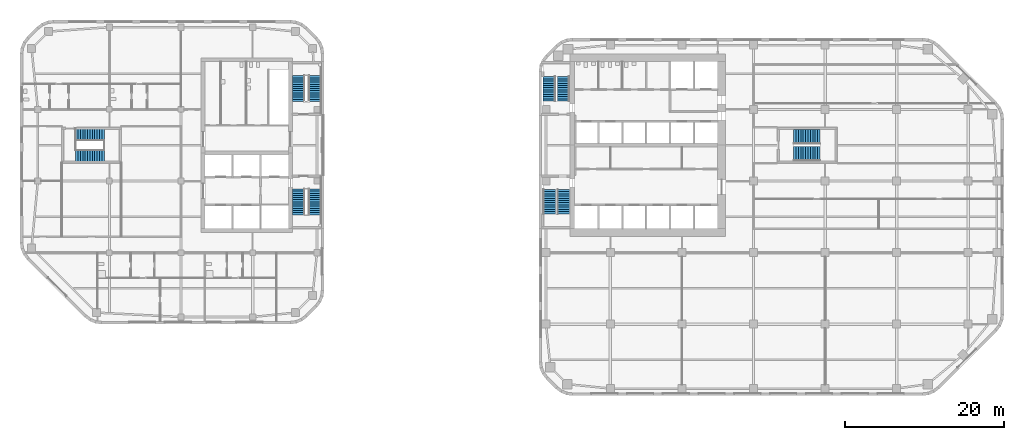
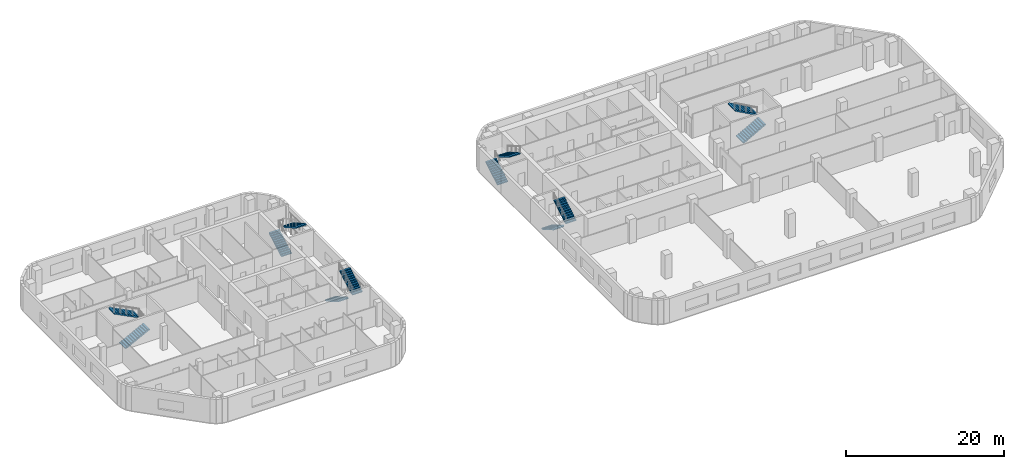
# One storey, part 12 of 15: 12 stair flights, 6 elements without a shape of their own.
"""IFC4 building model written with IfcOpenShell, lengths in metres."""

from ifc_helpers import new_model, si_unit, direction, frame, origin, place, context, subcontext, project, spatial, polyline, outline, extrude, material, type_object, element, aggregate, save


model = new_model("IFC4")

# Units and contexts
model_context = context("Model", 3, precision=1e-05, world=origin(), true_north=direction((0.0, 1.0)))
body_context = subcontext(model_context, "Body", "Model", "MODEL_VIEW")
ifc_project = project(units=[si_unit("LENGTHUNIT", "METRE"), si_unit("AREAUNIT", "SQUARE_METRE"), si_unit("VOLUMEUNIT", "CUBIC_METRE"), si_unit("PLANEANGLEUNIT", "RADIAN"), si_unit("MASSUNIT", "GRAM", prefix="KILO")], contexts=[model_context])

# Site, building, storey
site_placement = place(None, origin())
site = spatial("IfcSite", under=ifc_project, at=site_placement, CompositionType="ELEMENT")
building_placement = place(site_placement, origin())
building = spatial("IfcBuilding", under=site, at=building_placement, Name="Cinnabar Reach Civic Tower", CompositionType="ELEMENT")
storey_placement = place(building_placement, frame((0.0, 0.0, 91.0)))
storey = spatial("IfcBuildingStorey", under=building, at=storey_placement, Name="L21", CompositionType="ELEMENT", Elevation=91.0)

# Stair, stair flights
ifc_material_1 = material(Name="Concrete C40/50", Category="concrete")
stair_type_1 = type_object("IfcStairType", Name="T1 Exit stair, half-turn", PredefinedType="HALF_TURN_STAIR", material=ifc_material_1)
stair_1_placement = place(storey_placement, origin())
stair_1 = element("IfcStair", 1, at=stair_1_placement, inside=storey, type_object=stair_type_1, Name="Stair T1-S1", PredefinedType="HALF_TURN_STAIR")
stair_flight_type_1 = type_object("IfcStairFlightType", Name="T1 Stair flight, concrete", PredefinedType="STRAIGHT", material=ifc_material_1)
stair_flight_1_placement = place(storey_placement, frame((1.3125, 25.95, 0.0), z_axis=(0.0, 0.0, 1.0), x_axis=(0.0, -1.0, 0.0)))
stair_flight_1 = element("IfcStairFlight", 2, at=stair_flight_1_placement, type_object=stair_flight_type_1, Name="T1-S1 flight 1", NumberOfRisers=12, NumberOfTreads=11, PredefinedType="STRAIGHT", RiserHeight=0.166666667, TreadLength=0.28, context=body_context, shape_type="SweptSolid", body=[
    extrude(outline(polyline([(0.0, 0.0), (0.0, 0.1667), (0.28, 0.1667), (0.28, 0.3333), (0.56, 0.3333), (0.56, 0.5), (0.84, 0.5), (0.84, 0.6667), (1.12, 0.6667), (1.12, 0.8333), (1.4, 0.8333), (1.4, 1.0), (1.68, 1.0), (1.68, 1.1667), (1.96, 1.1667), (1.96, 1.3333), (2.24, 1.3333), (2.24, 1.5), (2.52, 1.5), (2.52, 1.6667), (2.8, 1.6667), (2.8, 1.8333), (3.08, 1.8333), (3.08, 2.0), (3.08, 1.6588), (0.2933, 0.0), (0.0, 0.0)])), frame((0.0, 0.7625, 0.0), z_axis=(0.0, -1.0, 0.0), x_axis=(1.0, 0.0, 0.0)), (0.0, 0.0, 1.0), 1.525),
])
stair_flight_2_placement = place(storey_placement, frame((3.0875, 22.87, 2.0), z_axis=(0.0, 0.0, 1.0), x_axis=(0.0, 1.0, 0.0)))
stair_flight_2 = element("IfcStairFlight", 3, at=stair_flight_2_placement, type_object=stair_flight_type_1, Name="T1-S1 flight 2", NumberOfRisers=12, NumberOfTreads=11, PredefinedType="STRAIGHT", RiserHeight=0.166666667, TreadLength=0.28, context=body_context, shape_type="SweptSolid", body=[
    extrude(outline(polyline([(0.0, 0.0), (0.0, 0.1667), (0.28, 0.1667), (0.28, 0.3333), (0.56, 0.3333), (0.56, 0.5), (0.84, 0.5), (0.84, 0.6667), (1.12, 0.6667), (1.12, 0.8333), (1.4, 0.8333), (1.4, 1.0), (1.68, 1.0), (1.68, 1.1667), (1.96, 1.1667), (1.96, 1.3333), (2.24, 1.3333), (2.24, 1.5), (2.52, 1.5), (2.52, 1.6667), (2.8, 1.6667), (2.8, 1.8333), (3.08, 1.8333), (3.08, 2.0), (3.08, 1.6588), (0.2933, 0.0), (0.0, 0.0)])), frame((0.0, 0.7625, 0.0), z_axis=(0.0, -1.0, 0.0), x_axis=(1.0, 0.0, 0.0)), (0.0, 0.0, 1.0), 1.525),
])
aggregate(stair_1, [stair_flight_1, stair_flight_2])

stair_2_placement = place(storey_placement, origin())
stair_2 = element("IfcStair", 4, at=stair_2_placement, inside=storey, type_object=stair_type_1, Name="Stair T1-S2", PredefinedType="HALF_TURN_STAIR")
stair_flight_3_placement = place(storey_placement, frame((1.3125, 37.05, 0.0), z_axis=(0.0, 0.0, 1.0), x_axis=(0.0, 1.0, 0.0)))
stair_flight_3 = element("IfcStairFlight", 5, at=stair_flight_3_placement, type_object=stair_flight_type_1, Name="T1-S2 flight 1", NumberOfRisers=12, NumberOfTreads=11, PredefinedType="STRAIGHT", RiserHeight=0.166666667, TreadLength=0.28, context=body_context, shape_type="SweptSolid", body=[
    extrude(outline(polyline([(0.0, 0.0), (0.0, 0.1667), (0.28, 0.1667), (0.28, 0.3333), (0.56, 0.3333), (0.56, 0.5), (0.84, 0.5), (0.84, 0.6667), (1.12, 0.6667), (1.12, 0.8333), (1.4, 0.8333), (1.4, 1.0), (1.68, 1.0), (1.68, 1.1667), (1.96, 1.1667), (1.96, 1.3333), (2.24, 1.3333), (2.24, 1.5), (2.52, 1.5), (2.52, 1.6667), (2.8, 1.6667), (2.8, 1.8333), (3.08, 1.8333), (3.08, 2.0), (3.08, 1.6588), (0.2933, 0.0), (0.0, 0.0)])), frame((0.0, 0.7625, 0.0), z_axis=(0.0, -1.0, 0.0), x_axis=(1.0, 0.0, 0.0)), (0.0, 0.0, 1.0), 1.525),
])
stair_flight_4_placement = place(storey_placement, frame((3.0875, 40.13, 2.0), z_axis=(0.0, 0.0, 1.0), x_axis=(0.0, -1.0, 0.0)))
stair_flight_4 = element("IfcStairFlight", 6, at=stair_flight_4_placement, type_object=stair_flight_type_1, Name="T1-S2 flight 2", NumberOfRisers=12, NumberOfTreads=11, PredefinedType="STRAIGHT", RiserHeight=0.166666667, TreadLength=0.28, context=body_context, shape_type="SweptSolid", body=[
    extrude(outline(polyline([(0.0, 0.0), (0.0, 0.1667), (0.28, 0.1667), (0.28, 0.3333), (0.56, 0.3333), (0.56, 0.5), (0.84, 0.5), (0.84, 0.6667), (1.12, 0.6667), (1.12, 0.8333), (1.4, 0.8333), (1.4, 1.0), (1.68, 1.0), (1.68, 1.1667), (1.96, 1.1667), (1.96, 1.3333), (2.24, 1.3333), (2.24, 1.5), (2.52, 1.5), (2.52, 1.6667), (2.8, 1.6667), (2.8, 1.8333), (3.08, 1.8333), (3.08, 2.0), (3.08, 1.6588), (0.2933, 0.0), (0.0, 0.0)])), frame((0.0, 0.7625, 0.0), z_axis=(0.0, -1.0, 0.0), x_axis=(1.0, 0.0, 0.0)), (0.0, 0.0, 1.0), 1.525),
])
aggregate(stair_2, [stair_flight_3, stair_flight_4])

stair_3_placement = place(storey_placement, origin())
stair_3 = element("IfcStair", 7, at=stair_3_placement, inside=storey, type_object=stair_type_1, Name="Stair T1-S3", PredefinedType="HALF_TURN_STAIR")
stair_flight_5_placement = place(storey_placement, frame((32.05, 30.45, 0.0), z_axis=(0.0, 0.0, 1.0), x_axis=(1.0, 0.0, 0.0)))
stair_flight_5 = element("IfcStairFlight", 8, at=stair_flight_5_placement, type_object=stair_flight_type_1, Name="T1-S3 flight 1", NumberOfRisers=12, NumberOfTreads=11, PredefinedType="STRAIGHT", RiserHeight=0.166666667, TreadLength=0.3, context=body_context, shape_type="SweptSolid", body=[
    extrude(outline(polyline([(0.0, 0.0), (0.0, 0.1667), (0.3, 0.1667), (0.3, 0.3333), (0.6, 0.3333), (0.6, 0.5), (0.9, 0.5), (0.9, 0.6667), (1.2, 0.6667), (1.2, 0.8333), (1.5, 0.8333), (1.5, 1.0), (1.8, 1.0), (1.8, 1.1667), (2.1, 1.1667), (2.1, 1.3333), (2.4, 1.3333), (2.4, 1.5), (2.7, 1.5), (2.7, 1.6667), (3.0, 1.6667), (3.0, 1.8333), (3.3, 1.8333), (3.3, 2.0), (3.3, 1.6617), (0.3089, 0.0), (0.0, 0.0)])), frame((0.0, 0.9, 0.0), z_axis=(0.0, -1.0, 0.0), x_axis=(1.0, 0.0, 0.0)), (0.0, 0.0, 1.0), 1.8),
])
stair_flight_6_placement = place(storey_placement, frame((35.35, 32.55, 2.0), z_axis=(0.0, 0.0, 1.0), x_axis=(-1.0, 0.0, 0.0)))
stair_flight_6 = element("IfcStairFlight", 9, at=stair_flight_6_placement, type_object=stair_flight_type_1, Name="T1-S3 flight 2", NumberOfRisers=12, NumberOfTreads=11, PredefinedType="STRAIGHT", RiserHeight=0.166666667, TreadLength=0.3, context=body_context, shape_type="SweptSolid", body=[
    extrude(outline(polyline([(0.0, 0.0), (0.0, 0.1667), (0.3, 0.1667), (0.3, 0.3333), (0.6, 0.3333), (0.6, 0.5), (0.9, 0.5), (0.9, 0.6667), (1.2, 0.6667), (1.2, 0.8333), (1.5, 0.8333), (1.5, 1.0), (1.8, 1.0), (1.8, 1.1667), (2.1, 1.1667), (2.1, 1.3333), (2.4, 1.3333), (2.4, 1.5), (2.7, 1.5), (2.7, 1.6667), (3.0, 1.6667), (3.0, 1.8333), (3.3, 1.8333), (3.3, 2.0), (3.3, 1.6617), (0.3089, 0.0), (0.0, 0.0)])), frame((0.0, 0.9, 0.0), z_axis=(0.0, -1.0, 0.0), x_axis=(1.0, 0.0, 0.0)), (0.0, 0.0, 1.0), 1.8),
])
aggregate(stair_3, [stair_flight_5, stair_flight_6])

ifc_material_2 = material(Name="Concrete C40", Category="concrete")
stair_type_2 = type_object("IfcStairType", Name="T2 Exit stair 1500", PredefinedType="HALF_TURN_STAIR", material=ifc_material_2)
stair_4_placement = place(storey_placement, origin())
stair_4 = element("IfcStair", 10, at=stair_4_placement, inside=storey, type_object=stair_type_2, Name="Exit stair 1", PredefinedType="HALF_TURN_STAIR")
stair_flight_type_2 = type_object("IfcStairFlightType", Name="T2 Stair flight 1500", PredefinedType="STRAIGHT", material=ifc_material_2)
stair_flight_7_placement = place(storey_placement, frame((-30.25, 26.0, 0.0), z_axis=(0.0, 0.0, 1.0), x_axis=(0.0, -1.0, 0.0)))
stair_flight_7 = element("IfcStairFlight", 11, at=stair_flight_7_placement, type_object=stair_flight_type_2, Name="ST1 flight 1", NumberOfRisers=13, NumberOfTreads=12, PredefinedType="STRAIGHT", RiserHeight=0.153846154, TreadLength=0.270833333, context=body_context, shape_type="SweptSolid", body=[
    extrude(outline(polyline([(0.0, 0.0), (0.0, 0.1538), (0.2708, 0.1538), (0.2708, 0.3077), (0.5417, 0.3077), (0.5417, 0.4615), (0.8125, 0.4615), (0.8125, 0.6154), (1.0833, 0.6154), (1.0833, 0.7692), (1.3542, 0.7692), (1.3542, 0.9231), (1.625, 0.9231), (1.625, 1.0769), (1.8958, 1.0769), (1.8958, 1.2308), (2.1667, 1.2308), (2.1667, 1.3846), (2.4375, 1.3846), (2.4375, 1.5385), (2.7083, 1.5385), (2.7083, 1.6923), (2.9792, 1.6923), (2.9792, 1.8462), (3.25, 1.8462), (3.25, 2.0), (3.25, 1.6736), (0.3037, 0.0), (0.0, 0.0)])), frame((0.0, 0.75, 0.0), z_axis=(0.0, -1.0, 0.0), x_axis=(1.0, 0.0, 0.0)), (0.0, 0.0, 1.0), 1.5),
])
stair_flight_8_placement = place(storey_placement, frame((-28.15, 22.75, 2.0), z_axis=(0.0, 0.0, 1.0), x_axis=(0.0, 1.0, 0.0)))
stair_flight_8 = element("IfcStairFlight", 12, at=stair_flight_8_placement, type_object=stair_flight_type_2, Name="ST1 flight 2", NumberOfRisers=13, NumberOfTreads=12, PredefinedType="STRAIGHT", RiserHeight=0.153846154, TreadLength=0.270833333, context=body_context, shape_type="SweptSolid", body=[
    extrude(outline(polyline([(0.0, 0.0), (0.0, 0.1538), (0.2708, 0.1538), (0.2708, 0.3077), (0.5417, 0.3077), (0.5417, 0.4615), (0.8125, 0.4615), (0.8125, 0.6154), (1.0833, 0.6154), (1.0833, 0.7692), (1.3542, 0.7692), (1.3542, 0.9231), (1.625, 0.9231), (1.625, 1.0769), (1.8958, 1.0769), (1.8958, 1.2308), (2.1667, 1.2308), (2.1667, 1.3846), (2.4375, 1.3846), (2.4375, 1.5385), (2.7083, 1.5385), (2.7083, 1.6923), (2.9792, 1.6923), (2.9792, 1.8462), (3.25, 1.8462), (3.25, 2.0), (3.25, 1.6736), (0.3037, 0.0), (0.0, 0.0)])), frame((0.0, 0.75, 0.0), z_axis=(0.0, -1.0, 0.0), x_axis=(1.0, 0.0, 0.0)), (0.0, 0.0, 1.0), 1.5),
])
aggregate(stair_4, [stair_flight_7, stair_flight_8])

stair_5_placement = place(storey_placement, origin())
stair_5 = element("IfcStair", 13, at=stair_5_placement, inside=storey, type_object=stair_type_2, Name="Exit stair 2", PredefinedType="HALF_TURN_STAIR")
stair_flight_9_placement = place(storey_placement, frame((-30.25, 37.0, 0.0), z_axis=(0.0, 0.0, 1.0), x_axis=(0.0, 1.0, 0.0)))
stair_flight_9 = element("IfcStairFlight", 14, at=stair_flight_9_placement, type_object=stair_flight_type_2, Name="ST2 flight 1", NumberOfRisers=13, NumberOfTreads=12, PredefinedType="STRAIGHT", RiserHeight=0.153846154, TreadLength=0.270833333, context=body_context, shape_type="SweptSolid", body=[
    extrude(outline(polyline([(0.0, 0.0), (0.0, 0.1538), (0.2708, 0.1538), (0.2708, 0.3077), (0.5417, 0.3077), (0.5417, 0.4615), (0.8125, 0.4615), (0.8125, 0.6154), (1.0833, 0.6154), (1.0833, 0.7692), (1.3542, 0.7692), (1.3542, 0.9231), (1.625, 0.9231), (1.625, 1.0769), (1.8958, 1.0769), (1.8958, 1.2308), (2.1667, 1.2308), (2.1667, 1.3846), (2.4375, 1.3846), (2.4375, 1.5385), (2.7083, 1.5385), (2.7083, 1.6923), (2.9792, 1.6923), (2.9792, 1.8462), (3.25, 1.8462), (3.25, 2.0), (3.25, 1.6736), (0.3037, 0.0), (0.0, 0.0)])), frame((0.0, 0.75, 0.0), z_axis=(0.0, -1.0, 0.0), x_axis=(1.0, 0.0, 0.0)), (0.0, 0.0, 1.0), 1.5),
])
stair_flight_10_placement = place(storey_placement, frame((-28.15, 40.25, 2.0), z_axis=(0.0, 0.0, 1.0), x_axis=(0.0, -1.0, 0.0)))
stair_flight_10 = element("IfcStairFlight", 15, at=stair_flight_10_placement, type_object=stair_flight_type_2, Name="ST2 flight 2", NumberOfRisers=13, NumberOfTreads=12, PredefinedType="STRAIGHT", RiserHeight=0.153846154, TreadLength=0.270833333, context=body_context, shape_type="SweptSolid", body=[
    extrude(outline(polyline([(0.0, 0.0), (0.0, 0.1538), (0.2708, 0.1538), (0.2708, 0.3077), (0.5417, 0.3077), (0.5417, 0.4615), (0.8125, 0.4615), (0.8125, 0.6154), (1.0833, 0.6154), (1.0833, 0.7692), (1.3542, 0.7692), (1.3542, 0.9231), (1.625, 0.9231), (1.625, 1.0769), (1.8958, 1.0769), (1.8958, 1.2308), (2.1667, 1.2308), (2.1667, 1.3846), (2.4375, 1.3846), (2.4375, 1.5385), (2.7083, 1.5385), (2.7083, 1.6923), (2.9792, 1.6923), (2.9792, 1.8462), (3.25, 1.8462), (3.25, 2.0), (3.25, 1.6736), (0.3037, 0.0), (0.0, 0.0)])), frame((0.0, 0.75, 0.0), z_axis=(0.0, -1.0, 0.0), x_axis=(1.0, 0.0, 0.0)), (0.0, 0.0, 1.0), 1.5),
])
aggregate(stair_5, [stair_flight_9, stair_flight_10])

stair_6_placement = place(storey_placement, origin())
stair_6 = element("IfcStair", 16, at=stair_6_placement, inside=storey, type_object=stair_type_2, Name="Exit stair 3", PredefinedType="HALF_TURN_STAIR")
stair_flight_11_placement = place(storey_placement, frame((-58.25, 30.125, 0.0), z_axis=(0.0, 0.0, 1.0), x_axis=(1.0, 0.0, 0.0)))
stair_flight_11 = element("IfcStairFlight", 17, at=stair_flight_11_placement, type_object=stair_flight_type_2, Name="ST3 flight 1", NumberOfRisers=13, NumberOfTreads=12, PredefinedType="STRAIGHT", RiserHeight=0.153846154, TreadLength=0.3, context=body_context, shape_type="SweptSolid", body=[
    extrude(outline(polyline([(0.0, 0.0), (0.0, 0.1538), (0.3, 0.1538), (0.3, 0.3077), (0.6, 0.3077), (0.6, 0.4615), (0.9, 0.4615), (0.9, 0.6154), (1.2, 0.6154), (1.2, 0.7692), (1.5, 0.7692), (1.5, 0.9231), (1.8, 0.9231), (1.8, 1.0769), (2.1, 1.0769), (2.1, 1.2308), (2.4, 1.2308), (2.4, 1.3846), (2.7, 1.3846), (2.7, 1.5385), (3.0, 1.5385), (3.0, 1.6923), (3.3, 1.6923), (3.3, 1.8462), (3.6, 1.8462), (3.6, 2.0), (3.6, 1.6776), (0.3287, 0.0), (0.0, 0.0)])), frame((0.0, 0.75, 0.0), z_axis=(0.0, -1.0, 0.0), x_axis=(1.0, 0.0, 0.0)), (0.0, 0.0, 1.0), 1.5),
])
stair_flight_12_placement = place(storey_placement, frame((-54.65, 32.875, 2.0), z_axis=(0.0, 0.0, 1.0), x_axis=(-1.0, 0.0, 0.0)))
stair_flight_12 = element("IfcStairFlight", 18, at=stair_flight_12_placement, type_object=stair_flight_type_2, Name="ST3 flight 2", NumberOfRisers=13, NumberOfTreads=12, PredefinedType="STRAIGHT", RiserHeight=0.153846154, TreadLength=0.3, context=body_context, shape_type="SweptSolid", body=[
    extrude(outline(polyline([(0.0, 0.0), (0.0, 0.1538), (0.3, 0.1538), (0.3, 0.3077), (0.6, 0.3077), (0.6, 0.4615), (0.9, 0.4615), (0.9, 0.6154), (1.2, 0.6154), (1.2, 0.7692), (1.5, 0.7692), (1.5, 0.9231), (1.8, 0.9231), (1.8, 1.0769), (2.1, 1.0769), (2.1, 1.2308), (2.4, 1.2308), (2.4, 1.3846), (2.7, 1.3846), (2.7, 1.5385), (3.0, 1.5385), (3.0, 1.6923), (3.3, 1.6923), (3.3, 1.8462), (3.6, 1.8462), (3.6, 2.0), (3.6, 1.6776), (0.3287, 0.0), (0.0, 0.0)])), frame((0.0, 0.75, 0.0), z_axis=(0.0, -1.0, 0.0), x_axis=(1.0, 0.0, 0.0)), (0.0, 0.0, 1.0), 1.5),
])
aggregate(stair_6, [stair_flight_11, stair_flight_12])

save(model, "model.ifc")
